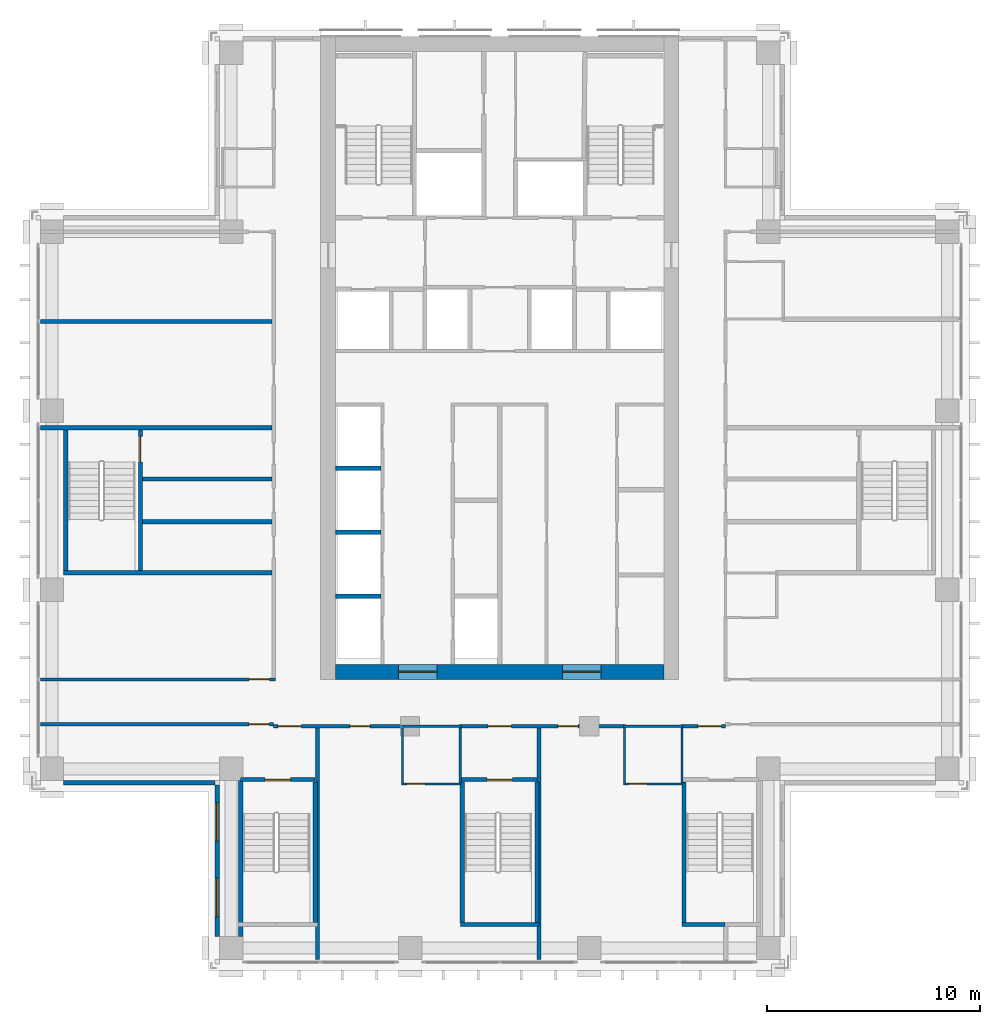
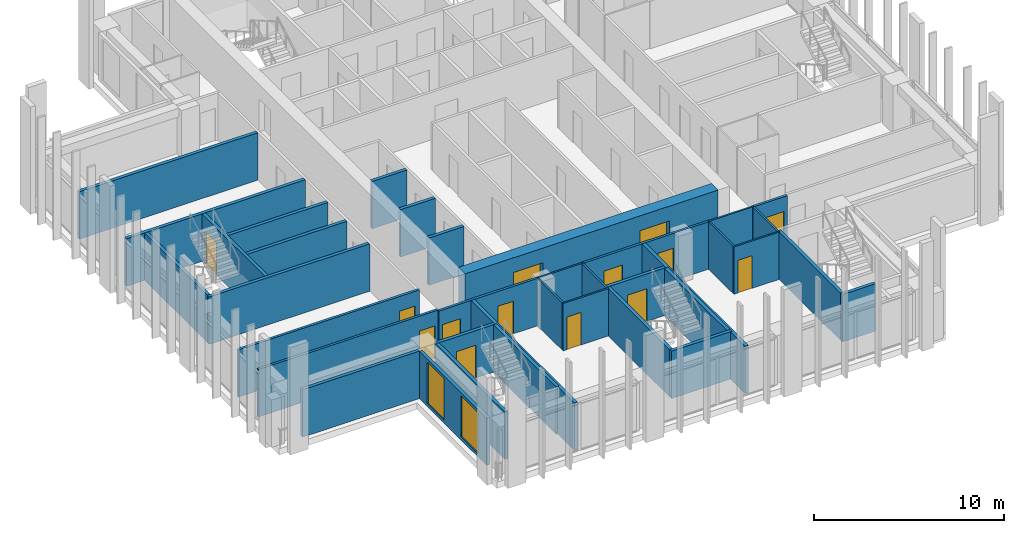
# One storey, part 9 of 16: 37 walls, 14 doors, 2 windows, 16 openings.
"""IFC4 building model written with IfcOpenShell, lengths in metres."""

from ifc_helpers import new_model, si_unit, direction, frame, frame_2d, origin, place, context, subcontext, project, spatial, rectangle, extrude, material, layer, layer_set, type_object, element, fill, save


model = new_model("IFC4")

# Units and contexts
model_context = context("Model", 3, precision=1e-05, world=origin(), true_north=direction((0.0, 1.0)))
body_context = subcontext(model_context, "Body", "Model", "MODEL_VIEW")
ifc_project = project(units=[si_unit("LENGTHUNIT", "METRE"), si_unit("AREAUNIT", "SQUARE_METRE"), si_unit("VOLUMEUNIT", "CUBIC_METRE"), si_unit("PLANEANGLEUNIT", "RADIAN"), si_unit("MASSUNIT", "GRAM", prefix="KILO")], contexts=[model_context])

# Site, building, storey
site_placement = place(None, origin())
site = spatial("IfcSite", under=ifc_project, at=site_placement, CompositionType="ELEMENT")
building_placement = place(site_placement, origin())
building = spatial("IfcBuilding", under=site, at=building_placement, Name="Vermilion Ogive Tower", CompositionType="ELEMENT")
storey_placement = place(building_placement, frame((0.0, 0.0, 150.35009765625)))
storey = spatial("IfcBuildingStorey", under=building, at=storey_placement, Name="L38", CompositionType="ELEMENT", Elevation=150.35009765625)

# Wall, openings, doors
ifc_material_1 = material(Name="Concrete B60", Category="concrete")
ifc_layer_1 = layer(ifc_material_1, 0.699951171875)
ifc_layer_set_1 = layer_set([ifc_layer_1], Name="Core wall 700 B60")
wall_type_1 = type_object("IfcWallType", Name="Core wall 700 B60", PredefinedType="SHEAR", material=ifc_layer_set_1)
wall_1_placement = place(storey_placement, frame((-7.699951171875, -8.050048828125, -0.400146484375), z_axis=(0.0, 0.0, 1.0), x_axis=(1.0, 0.0, 0.0)))
wall_1 = element("IfcWall", 1, at=wall_1_placement, inside=storey, type_object=wall_type_1, Name="L38-CORE-S", PredefinedType="SHEAR", context=body_context, shape_type="SweptSolid", body=[
    extrude(rectangle(XDim=15.39990234375, YDim=0.699951171875, at=frame_2d((7.699951171875, 0.0))), origin(), (0.0, 0.0, 1.0), 3.449951171875),
])
opening_1_placement = place(wall_1_placement, frame((2.949951171875, 0.0, 0.39990234375)))
opening_1 = element("IfcOpeningElement", 2, at=opening_1_placement, cuts=wall_1, Name="Opening DAH029", PredefinedType="OPENING", context=body_context, shape_type="SweptSolid", body=[
    extrude(rectangle(XDim=1.800048828125, YDim=2.10009765625, at=frame_2d((0.89990234375, 1.050048828125))), frame((0.0, 0.35986328125, 0.0), z_axis=(0.0, -1.0, 0.0), x_axis=(1.0, 0.0, 0.0)), (0.0, 0.0, 1.0), 0.719970703125),
])
opening_2_placement = place(wall_1_placement, frame((10.64990234375, 0.0, 0.39990234375)))
opening_2 = element("IfcOpeningElement", 3, at=opening_2_placement, cuts=wall_1, Name="Opening DAH030", PredefinedType="OPENING", context=body_context, shape_type="SweptSolid", body=[
    extrude(rectangle(XDim=1.800048828125, YDim=2.10009765625, at=frame_2d((0.89990234375, 1.050048828125))), frame((0.0, 0.35986328125, 0.0), z_axis=(0.0, -1.0, 0.0), x_axis=(1.0, 0.0, 0.0)), (0.0, 0.0, 1.0), 0.719970703125),
])
ifc_material_2 = material(Name="Timber door leaf", Category="wood")
door_type_1 = type_object("IfcDoorType", Name="Core entry door 1800 x 2100 FD60S", OperationType="DOUBLE_DOOR_SINGLE_SWING", PredefinedType="DOOR", material=ifc_material_2)
door_1_placement = place(opening_1_placement, origin())
door_1 = element("IfcDoor", 4, at=door_1_placement, inside=storey, type_object=door_type_1, Name="L38-CK-XD1", OperationType="SINGLE_SWING_LEFT", OverallHeight=2.10009765625, OverallWidth=1.800048828125, PredefinedType="DOOR", context=body_context, shape_type="SweptSolid", body=[
    extrude(rectangle(XDim=1.800048828125, YDim=2.10009765625, at=frame_2d((0.89990234375, 1.050048828125))), frame((0.0, 0.02490234375, 0.0), z_axis=(0.0, -1.0, 0.0), x_axis=(1.0, 0.0, 0.0)), (0.0, 0.0, 1.0), 0.050048828125),
])
fill(opening_1, door_1)
door_2_placement = place(opening_2_placement, origin())
door_2 = element("IfcDoor", 5, at=door_2_placement, inside=storey, type_object=door_type_1, Name="L38-CK-XD2", OperationType="SINGLE_SWING_LEFT", OverallHeight=2.10009765625, OverallWidth=1.800048828125, PredefinedType="DOOR", context=body_context, shape_type="SweptSolid", body=[
    extrude(rectangle(XDim=1.800048828125, YDim=2.10009765625, at=frame_2d((0.89990234375, 1.050048828125))), frame((0.0, 0.02490234375, 0.0), z_axis=(0.0, -1.0, 0.0), x_axis=(1.0, 0.0, 0.0)), (0.0, 0.0, 1.0), 0.050048828125),
])
fill(opening_2, door_2)

# Wall, opening, door
ifc_material_3 = material(Name="Gypsum board partition on steel studs", Category="steel")
ifc_layer_2 = layer(ifc_material_3, 0.10009765625)
ifc_layer_set_2 = layer_set([ifc_layer_2], Name="Partition 100 bath")
wall_type_2 = type_object("IfcWallType", Name="Partition 100 bath", PredefinedType="PARTITIONING", material=ifc_layer_set_2)
wall_2_placement = place(storey_placement, frame((-4.597900390625, -13.300048828125, 0.0), z_axis=(0.0, 0.0, 1.0), x_axis=(1.0, 0.0, 0.0)))
wall_2 = element("IfcWall", 6, at=wall_2_placement, inside=storey, type_object=wall_type_2, Name="L38-W-W004", PredefinedType="PARTITIONING", context=body_context, shape_type="SweptSolid", body=[
    extrude(rectangle(XDim=2.7958984375, YDim=0.10009765625, at=frame_2d((1.39794921875, 0.0))), origin(), (0.0, 0.0, 1.0), 3.0498046875),
])
opening_3_placement = place(wall_2_placement, frame((0.247802734375, 0.0, 0.0)))
opening_3 = element("IfcOpeningElement", 7, at=opening_3_placement, cuts=wall_2, Name="Opening D3G3008", PredefinedType="OPENING", context=body_context, shape_type="SweptSolid", body=[
    extrude(rectangle(XDim=0.85009765625, YDim=2.10009765625, at=frame_2d((0.425048828125, 1.050048828125))), frame((0.0, 0.06005859375, 0.0), z_axis=(0.0, -1.0, 0.0), x_axis=(1.0, 0.0, 0.0)), (0.0, 0.0, 1.0), 0.1201171875),
])
ifc_material_4 = material(Name="Timber door leaf", Category="wood")
door_type_2 = type_object("IfcDoorType", Name="Bath door 850 x 2100 FD30", OperationType="SINGLE_SWING_LEFT", PredefinedType="DOOR", material=ifc_material_4)
door_3_placement = place(opening_3_placement, origin())
door_3 = element("IfcDoor", 8, at=door_3_placement, inside=storey, type_object=door_type_2, Name="L38-D-D008", OperationType="SINGLE_SWING_LEFT", OverallHeight=2.10009765625, OverallWidth=0.85009765625, PredefinedType="DOOR", context=body_context, shape_type="SweptSolid", body=[
    extrude(rectangle(XDim=0.85009765625, YDim=2.10009765625, at=frame_2d((0.425048828125, 1.050048828125))), frame((0.0, 0.02490234375, 0.0), z_axis=(0.0, -1.0, 0.0), x_axis=(1.0, 0.0, 0.0)), (0.0, 0.0, 1.0), 0.050048828125),
])
fill(opening_3, door_3)

wall_3_placement = place(storey_placement, frame((5.802001953125, -13.300048828125, 0.0), z_axis=(0.0, 0.0, 1.0), x_axis=(1.0, 0.0, 0.0)))
wall_3 = element("IfcWall", 9, at=wall_3_placement, inside=storey, type_object=wall_type_2, Name="L38-W-W005", PredefinedType="PARTITIONING", context=body_context, shape_type="SweptSolid", body=[
    extrude(rectangle(XDim=2.7958984375, YDim=0.10009765625, at=frame_2d((1.39794921875, 0.0))), origin(), (0.0, 0.0, 1.0), 3.0498046875),
])
opening_4_placement = place(wall_3_placement, frame((0.248046875, 0.0, 0.0)))
opening_4 = element("IfcOpeningElement", 10, at=opening_4_placement, cuts=wall_3, Name="Opening D3G3010", PredefinedType="OPENING", context=body_context, shape_type="SweptSolid", body=[
    extrude(rectangle(XDim=0.85009765625, YDim=2.10009765625, at=frame_2d((0.425048828125, 1.050048828125))), frame((0.0, 0.06005859375, 0.0), z_axis=(0.0, -1.0, 0.0), x_axis=(1.0, 0.0, 0.0)), (0.0, 0.0, 1.0), 0.1201171875),
])
door_4_placement = place(opening_4_placement, origin())
door_4 = element("IfcDoor", 11, at=door_4_placement, inside=storey, type_object=door_type_2, Name="L38-D-D010", OperationType="SINGLE_SWING_LEFT", OverallHeight=2.10009765625, OverallWidth=0.85009765625, PredefinedType="DOOR", context=body_context, shape_type="SweptSolid", body=[
    extrude(rectangle(XDim=0.85009765625, YDim=2.10009765625, at=frame_2d((0.425048828125, 1.050048828125))), frame((0.0, 0.02490234375, 0.0), z_axis=(0.0, -1.0, 0.0), x_axis=(1.0, 0.0, 0.0)), (0.0, 0.0, 1.0), 0.050048828125),
])
fill(opening_4, door_4)

# Walls
for number, where, z_axis, x_axis, name in (
    (12, (-4.60009765625, -10.60009765625, 0.0), (0.0, 0.0, 1.0), (1.0, 0.0, 0.0), "L38-W-W010"),
    (13, (5.800048828125, -10.60009765625, 0.0), (0.0, 0.0, 1.0), (1.0, 0.0, 0.0), "L38-W-W012"),
):
    element("IfcWall", number, at=place(storey_placement, frame(where, z_axis=z_axis, x_axis=x_axis)), inside=storey, type_object=wall_type_2, Name=name, PredefinedType="PARTITIONING", context=body_context, shape_type="SweptSolid", body=[
        extrude(rectangle(XDim=2.800048828125, YDim=0.10009765625, at=frame_2d((1.39990234375, 0.0))), origin(), (0.0, 0.0, 1.0), 3.0498046875),
    ])
for number, where, z_axis, x_axis, name in (
    (14, (-4.550048828125, -13.248046875, 0.0), (0.0, 0.0, 1.0), (0.0, 1.0, 0.0), "L38-W-W048"),
    (15, (-1.85009765625, -13.248046875, 0.0), (0.0, 0.0, 1.0), (0.0, 1.0, 0.0), "L38-W-W049"),
    (16, (5.85009765625, -13.248046875, 0.0), (0.0, 0.0, 1.0), (0.0, 1.0, 0.0), "L38-W-W053"),
    (17, (8.550048828125, -13.248046875, 0.0), (0.0, 0.0, 1.0), (0.0, 1.0, 0.0), "L38-W-W054"),
):
    element("IfcWall", number, at=place(storey_placement, frame(where, z_axis=z_axis, x_axis=x_axis)), inside=storey, type_object=wall_type_2, Name=name, PredefinedType="PARTITIONING", context=body_context, shape_type="SweptSolid", body=[
        extrude(rectangle(XDim=2.572998046875, YDim=0.10009765625, at=frame_2d((1.28662109375, 0.0))), origin(), (0.0, 0.0, 1.0), 3.0498046875),
    ])

# Wall, openings, doors
ifc_material_5 = material(Name="Gypsum board partition on steel studs", Category="steel")
ifc_layer_3 = layer(ifc_material_5, 0.14990234375)
ifc_layer_set_3 = layer_set([ifc_layer_3], Name="Partition 150 corridor")
wall_type_3 = type_object("IfcWallType", Name="Partition 150 corridor", PredefinedType="PARTITIONING", material=ifc_layer_set_3)
wall_4_placement = place(storey_placement, frame((-10.60009765625, -10.60009765625, 0.0), z_axis=(0.0, 0.0, 1.0), x_axis=(1.0, 0.0, 0.0)))
wall_4 = element("IfcWall", 18, at=wall_4_placement, inside=storey, type_object=wall_type_3, Name="L38-W-W009", PredefinedType="PARTITIONING", context=body_context, shape_type="SweptSolid", body=[
    extrude(rectangle(XDim=6.10009765625, YDim=0.14990234375, at=frame_2d((3.050048828125, 0.0))), origin(), (0.0, 0.0, 1.0), 3.0498046875),
])
opening_5_placement = place(wall_4_placement, frame((3.5751953125, 0.0, 0.0)))
opening_5 = element("IfcOpeningElement", 19, at=opening_5_placement, cuts=wall_4, Name="Opening D3G3007", PredefinedType="OPENING", context=body_context, shape_type="SweptSolid", body=[
    extrude(rectangle(XDim=0.949951171875, YDim=2.10009765625, at=frame_2d((0.47509765625, 1.050048828125))), frame((0.0, 0.0849609375, 0.0), z_axis=(0.0, -1.0, 0.0), x_axis=(1.0, 0.0, 0.0)), (0.0, 0.0, 1.0), 0.169921875),
])
opening_6_placement = place(wall_4_placement, frame((0.2001953125, 0.0, 0.0)))
opening_6 = element("IfcOpeningElement", 20, at=opening_6_placement, cuts=wall_4, Name="Opening D3G3019", PredefinedType="OPENING", context=body_context, shape_type="SweptSolid", body=[
    extrude(rectangle(XDim=1.10009765625, YDim=2.10009765625, at=frame_2d((0.550048828125, 1.050048828125))), frame((0.0, 0.0849609375, 0.0), z_axis=(0.0, -1.0, 0.0), x_axis=(1.0, 0.0, 0.0)), (0.0, 0.0, 1.0), 0.169921875),
])
ifc_material_6 = material(Name="Timber door leaf", Category="wood")
door_type_3 = type_object("IfcDoorType", Name="Stair door 1100 x 2100 FD60S", OperationType="SINGLE_SWING_LEFT", PredefinedType="DOOR", material=ifc_material_6)
door_5_placement = place(opening_6_placement, origin())
door_5 = element("IfcDoor", 21, at=door_5_placement, inside=storey, type_object=door_type_3, Name="L38-D-D019", OperationType="SINGLE_SWING_RIGHT", OverallHeight=2.10009765625, OverallWidth=1.10009765625, PredefinedType="DOOR", context=body_context, shape_type="SweptSolid", body=[
    extrude(rectangle(XDim=1.10009765625, YDim=2.10009765625, at=frame_2d((0.550048828125, 1.050048828125))), frame((0.0, 0.02490234375, 0.0), z_axis=(0.0, -1.0, 0.0), x_axis=(1.0, 0.0, 0.0)), (0.0, 0.0, 1.0), 0.050048828125),
])
fill(opening_6, door_5)
ifc_material_7 = material(Name="Timber door leaf", Category="wood")
door_type_4 = type_object("IfcDoorType", Name="Unit door 950 x 2100 FD30S", OperationType="SINGLE_SWING_LEFT", PredefinedType="DOOR", material=ifc_material_7)
door_6_placement = place(opening_5_placement, origin())
door_6 = element("IfcDoor", 22, at=door_6_placement, inside=storey, type_object=door_type_4, Name="L38-D-D007", OperationType="SINGLE_SWING_RIGHT", OverallHeight=2.10009765625, OverallWidth=0.949951171875, PredefinedType="DOOR", context=body_context, shape_type="SweptSolid", body=[
    extrude(rectangle(XDim=0.949951171875, YDim=2.10009765625, at=frame_2d((0.47509765625, 1.050048828125))), frame((0.0, 0.02490234375, 0.0), z_axis=(0.0, -1.0, 0.0), x_axis=(1.0, 0.0, 0.0)), (0.0, 0.0, 1.0), 0.050048828125),
])
fill(opening_5, door_6)

wall_5_placement = place(storey_placement, frame((-1.89990234375, -10.60009765625, 0.0), z_axis=(0.0, 0.0, 1.0), x_axis=(1.0, 0.0, 0.0)))
wall_5 = element("IfcWall", 23, at=wall_5_placement, inside=storey, type_object=wall_type_3, Name="L38-W-W011", PredefinedType="PARTITIONING", context=body_context, shape_type="SweptSolid", body=[
    extrude(rectangle(XDim=7.7998046875, YDim=0.14990234375, at=frame_2d((3.89990234375, 0.0))), origin(), (0.0, 0.0, 1.0), 3.0498046875),
])
opening_7_placement = place(wall_5_placement, frame((4.625, 0.0, 0.0)))
opening_7 = element("IfcOpeningElement", 24, at=opening_7_placement, cuts=wall_5, Name="Opening D3G3009", PredefinedType="OPENING", context=body_context, shape_type="SweptSolid", body=[
    extrude(rectangle(XDim=0.949951171875, YDim=2.10009765625, at=frame_2d((0.47509765625, 1.050048828125))), frame((0.0, 0.0849609375, 0.0), z_axis=(0.0, -1.0, 0.0), x_axis=(1.0, 0.0, 0.0)), (0.0, 0.0, 1.0), 0.169921875),
])
opening_8_placement = place(wall_5_placement, frame((1.349853515625, 0.0, 0.0)))
opening_8 = element("IfcOpeningElement", 25, at=opening_8_placement, cuts=wall_5, Name="Opening D3G3021", PredefinedType="OPENING", context=body_context, shape_type="SweptSolid", body=[
    extrude(rectangle(XDim=1.10009765625, YDim=2.10009765625, at=frame_2d((0.550048828125, 1.050048828125))), frame((0.0, 0.0849609375, 0.0), z_axis=(0.0, -1.0, 0.0), x_axis=(1.0, 0.0, 0.0)), (0.0, 0.0, 1.0), 0.169921875),
])
door_7_placement = place(opening_8_placement, origin())
door_7 = element("IfcDoor", 26, at=door_7_placement, inside=storey, type_object=door_type_3, Name="L38-D-D021", OperationType="SINGLE_SWING_RIGHT", OverallHeight=2.10009765625, OverallWidth=1.10009765625, PredefinedType="DOOR", context=body_context, shape_type="SweptSolid", body=[
    extrude(rectangle(XDim=1.10009765625, YDim=2.10009765625, at=frame_2d((0.550048828125, 1.050048828125))), frame((0.0, 0.02490234375, 0.0), z_axis=(0.0, -1.0, 0.0), x_axis=(1.0, 0.0, 0.0)), (0.0, 0.0, 1.0), 0.050048828125),
])
fill(opening_8, door_7)
door_8_placement = place(opening_7_placement, origin())
door_8 = element("IfcDoor", 27, at=door_8_placement, inside=storey, type_object=door_type_4, Name="L38-D-D009", OperationType="SINGLE_SWING_RIGHT", OverallHeight=2.10009765625, OverallWidth=0.949951171875, PredefinedType="DOOR", context=body_context, shape_type="SweptSolid", body=[
    extrude(rectangle(XDim=0.949951171875, YDim=2.10009765625, at=frame_2d((0.47509765625, 1.050048828125))), frame((0.0, 0.02490234375, 0.0), z_axis=(0.0, -1.0, 0.0), x_axis=(1.0, 0.0, 0.0)), (0.0, 0.0, 1.0), 0.050048828125),
])
fill(opening_7, door_8)

# Wall, opening, door
wall_6_placement = place(storey_placement, frame((8.5, -10.60009765625, 0.0), z_axis=(0.0, 0.0, 1.0), x_axis=(1.0, 0.0, 0.0)))
wall_6 = element("IfcWall", 28, at=wall_6_placement, inside=storey, type_object=wall_type_3, Name="L38-W-W013", PredefinedType="PARTITIONING", context=body_context, shape_type="SweptSolid", body=[
    extrude(rectangle(XDim=2.10009765625, YDim=0.14990234375, at=frame_2d((1.050048828125, 0.0))), origin(), (0.0, 0.0, 1.0), 3.0498046875),
])
opening_9_placement = place(wall_6_placement, frame((0.800048828125, 0.0, 0.0)))
opening_9 = element("IfcOpeningElement", 29, at=opening_9_placement, cuts=wall_6, Name="Opening D3G3023", PredefinedType="OPENING", context=body_context, shape_type="SweptSolid", body=[
    extrude(rectangle(XDim=1.10009765625, YDim=2.10009765625, at=frame_2d((0.550048828125, 1.050048828125))), frame((0.0, 0.0849609375, 0.0), z_axis=(0.0, -1.0, 0.0), x_axis=(1.0, 0.0, 0.0)), (0.0, 0.0, 1.0), 0.169921875),
])
door_9_placement = place(opening_9_placement, origin())
door_9 = element("IfcDoor", 30, at=door_9_placement, inside=storey, type_object=door_type_3, Name="L38-D-D023", OperationType="SINGLE_SWING_RIGHT", OverallHeight=2.10009765625, OverallWidth=1.10009765625, PredefinedType="DOOR", context=body_context, shape_type="SweptSolid", body=[
    extrude(rectangle(XDim=1.10009765625, YDim=2.10009765625, at=frame_2d((0.550048828125, 1.050048828125))), frame((0.0, 0.02490234375, 0.0), z_axis=(0.0, -1.0, 0.0), x_axis=(1.0, 0.0, 0.0)), (0.0, 0.0, 1.0), 0.050048828125),
])
fill(opening_9, door_9)

wall_7_placement = place(storey_placement, frame((-21.550048828125, -10.5, 0.0), z_axis=(0.0, 0.0, 1.0), x_axis=(1.0, 0.0, 0.0)))
wall_7 = element("IfcWall", 31, at=wall_7_placement, inside=storey, type_object=wall_type_3, Name="L38-W-W014", PredefinedType="PARTITIONING", context=body_context, shape_type="SweptSolid", body=[
    extrude(rectangle(XDim=10.949951171875, YDim=0.14990234375, at=frame_2d((5.47509765625, 0.0))), origin(), (0.0, 0.0, 1.0), 3.0498046875),
])
opening_10_placement = place(wall_7_placement, frame((9.800048828125, 0.0, 0.0)))
opening_10 = element("IfcOpeningElement", 32, at=opening_10_placement, cuts=wall_7, Name="Opening D3G3001", PredefinedType="OPENING", context=body_context, shape_type="SweptSolid", body=[
    extrude(rectangle(XDim=0.949951171875, YDim=2.10009765625, at=frame_2d((0.47509765625, 1.050048828125))), frame((0.0, 0.0849609375, 0.0), z_axis=(0.0, -1.0, 0.0), x_axis=(1.0, 0.0, 0.0)), (0.0, 0.0, 1.0), 0.169921875),
])
door_10_placement = place(opening_10_placement, origin())
door_10 = element("IfcDoor", 33, at=door_10_placement, inside=storey, type_object=door_type_4, Name="L38-D-D001", OperationType="SINGLE_SWING_RIGHT", OverallHeight=2.10009765625, OverallWidth=0.949951171875, PredefinedType="DOOR", context=body_context, shape_type="SweptSolid", body=[
    extrude(rectangle(XDim=0.949951171875, YDim=2.10009765625, at=frame_2d((0.47509765625, 1.050048828125))), frame((0.0, 0.02490234375, 0.0), z_axis=(0.0, -1.0, 0.0), x_axis=(1.0, 0.0, 0.0)), (0.0, 0.0, 1.0), 0.050048828125),
])
fill(opening_10, door_10)

wall_8_placement = place(storey_placement, frame((-21.550048828125, -8.39990234375, 0.0), z_axis=(0.0, 0.0, 1.0), x_axis=(1.0, 0.0, 0.0)))
wall_8 = element("IfcWall", 34, at=wall_8_placement, inside=storey, type_object=wall_type_3, Name="L38-W-W016", PredefinedType="PARTITIONING", context=body_context, shape_type="SweptSolid", body=[
    extrude(rectangle(XDim=11.025146484375, YDim=0.14990234375, at=frame_2d((5.5126953125, 0.0))), origin(), (0.0, 0.0, 1.0), 3.0498046875),
])
opening_11_placement = place(wall_8_placement, frame((9.800048828125, 0.0, 0.0)))
opening_11 = element("IfcOpeningElement", 35, at=opening_11_placement, cuts=wall_8, Name="Opening D3G3002", PredefinedType="OPENING", context=body_context, shape_type="SweptSolid", body=[
    extrude(rectangle(XDim=0.949951171875, YDim=2.10009765625, at=frame_2d((0.47509765625, 1.050048828125))), frame((0.0, 0.0849609375, 0.0), z_axis=(0.0, -1.0, 0.0), x_axis=(1.0, 0.0, 0.0)), (0.0, 0.0, 1.0), 0.169921875),
])
door_11_placement = place(opening_11_placement, origin())
door_11 = element("IfcDoor", 36, at=door_11_placement, inside=storey, type_object=door_type_4, Name="L38-D-D002", OperationType="SINGLE_SWING_LEFT", OverallHeight=2.10009765625, OverallWidth=0.949951171875, PredefinedType="DOOR", context=body_context, shape_type="SweptSolid", body=[
    extrude(rectangle(XDim=0.949951171875, YDim=2.10009765625, at=frame_2d((0.47509765625, 1.050048828125))), frame((0.0, 0.02490234375, 0.0), z_axis=(0.0, -1.0, 0.0), x_axis=(1.0, 0.0, 0.0)), (0.0, 0.0, 1.0), 0.050048828125),
])
fill(opening_11, door_11)

# Walls
ifc_material_8 = material(Name="Gypsum board partition on steel studs", Category="steel")
ifc_layer_4 = layer(ifc_material_8, 0.199951171875)
ifc_layer_set_4 = layer_set([ifc_layer_4], Name="Partition 200 party")
wall_type_4 = type_object("IfcWallType", Name="Partition 200 party", PredefinedType="PARTITIONING", material=ifc_layer_set_4)
for number, where, z_axis, x_axis, name in (
    (37, (-16.75, -1.0, 0.0), (0.0, 0.0, 1.0), (1.0, 0.0, 0.0), "L38-W-W022"),
    (38, (-16.75, 1.0, 0.0), (0.0, 0.0, 1.0), (1.0, 0.0, 0.0), "L38-W-W024"),
):
    element("IfcWall", number, at=place(storey_placement, frame(where, z_axis=z_axis, x_axis=x_axis)), inside=storey, type_object=wall_type_4, Name=name, PredefinedType="PARTITIONING", context=body_context, shape_type="SweptSolid", body=[
        extrude(rectangle(XDim=6.074951171875, YDim=0.199951171875, at=frame_2d((3.03759765625, 0.0))), origin(), (0.0, 0.0, 1.0), 3.0498046875),
    ])
wall_9_placement = place(storey_placement, frame((-21.550048828125, 8.389892578125, 0.0), z_axis=(0.0, 0.0, 1.0), x_axis=(1.0, 0.0, 0.0)))
element("IfcWall", 39, at=wall_9_placement, inside=storey, type_object=wall_type_4, Name="L38-W-W028", PredefinedType="PARTITIONING", context=body_context, shape_type="SweptSolid", body=[
    extrude(rectangle(XDim=10.875, YDim=0.199951171875, at=frame_2d((5.4375, 0.0))), origin(), (0.0, 0.0, 1.0), 3.0498046875),
])
for number, where, z_axis, x_axis, name in (
    (40, (-7.698974609375, -4.5, 0.0), (0.0, 0.0, 1.0), (1.0, 0.0, 0.0), "L38-CK-W-W001"),
    (41, (-7.698974609375, -1.5, 0.0), (0.0, 0.0, 1.0), (1.0, 0.0, 0.0), "L38-CK-W-W004"),
    (42, (-7.698974609375, 1.5, 0.0), (0.0, 0.0, 1.0), (1.0, 0.0, 0.0), "L38-CK-W-W007"),
):
    element("IfcWall", number, at=place(storey_placement, frame(where, z_axis=z_axis, x_axis=x_axis)), inside=storey, type_object=wall_type_4, Name=name, PredefinedType="PARTITIONING", context=body_context, shape_type="SweptSolid", body=[
        extrude(rectangle(XDim=2.1240234375, YDim=0.199951171875, at=frame_2d((1.06201171875, 0.0))), origin(), (0.0, 0.0, 1.0), 3.0498046875),
    ])
ifc_material_9 = material(Name="Concrete B60", Category="concrete")
ifc_layer_5 = layer(ifc_material_9, 0.199951171875)
ifc_layer_set_5 = layer_set([ifc_layer_5], Name="Stair shaft wall 200 Concrete B60")
wall_type_5 = type_object("IfcWallType", Name="Stair shaft wall 200 Concrete B60", PredefinedType="SOLIDWALL", material=ifc_layer_set_5)
wall_10_placement = place(storey_placement, frame((-1.847900390625, -19.89990234375, 0.0), z_axis=(0.0, 0.0, 1.0), x_axis=(1.0, 0.0, 0.0)))
element("IfcWall", 43, at=wall_10_placement, inside=storey, type_object=wall_type_5, Name="L38-W-W002", PredefinedType="SOLIDWALL", context=body_context, shape_type="SweptSolid", body=[
    extrude(rectangle(XDim=3.69580078125, YDim=0.199951171875, at=frame_2d((1.847900390625, 0.0))), origin(), (0.0, 0.0, 1.0), 3.0498046875),
])
wall_11_placement = place(storey_placement, frame((8.552001953125, -19.89990234375, 0.0), z_axis=(0.0, 0.0, 1.0), x_axis=(1.0, 0.0, 0.0)))
element("IfcWall", 44, at=wall_11_placement, inside=storey, type_object=wall_type_5, Name="L38-W-W003", PredefinedType="SOLIDWALL", context=body_context, shape_type="SweptSolid", body=[
    extrude(rectangle(XDim=2.02587890625, YDim=0.199951171875, at=frame_2d((1.012939453125, 0.0))), origin(), (0.0, 0.0, 1.0), 3.0498046875),
])

# Wall, opening, door
wall_12_placement = place(storey_placement, frame((-12.14990234375, -13.10009765625, 0.0), z_axis=(0.0, 0.0, 1.0), x_axis=(1.0, 0.0, 0.0)))
wall_12 = element("IfcWall", 45, at=wall_12_placement, inside=storey, type_object=wall_type_5, Name="L38-W-W006", PredefinedType="SOLIDWALL", context=body_context, shape_type="SweptSolid", body=[
    extrude(rectangle(XDim=3.497802734375, YDim=0.199951171875, at=frame_2d((1.7490234375, 0.0))), origin(), (0.0, 0.0, 1.0), 3.0498046875),
])
opening_12_placement = place(wall_12_placement, frame((1.14990234375, 0.0, 0.0)))
opening_12 = element("IfcOpeningElement", 46, at=opening_12_placement, cuts=wall_12, Name="Opening D3G3020", PredefinedType="OPENING", context=body_context, shape_type="SweptSolid", body=[
    extrude(rectangle(XDim=1.199951171875, YDim=2.10009765625, at=frame_2d((0.60009765625, 1.050048828125))), frame((0.0, 0.10986328125, 0.0), z_axis=(0.0, -1.0, 0.0), x_axis=(1.0, 0.0, 0.0)), (0.0, 0.0, 1.0), 0.219970703125),
])
ifc_material_10 = material(Name="Timber door leaf", Category="wood")
door_type_5 = type_object("IfcDoorType", Name="Stair door 1200 x 2100 FD60S", OperationType="SINGLE_SWING_LEFT", PredefinedType="DOOR", material=ifc_material_10)
door_12_placement = place(opening_12_placement, origin())
door_12 = element("IfcDoor", 47, at=door_12_placement, inside=storey, type_object=door_type_5, Name="L38-D-D020", OperationType="SINGLE_SWING_RIGHT", OverallHeight=2.10009765625, OverallWidth=1.199951171875, PredefinedType="DOOR", context=body_context, shape_type="SweptSolid", body=[
    extrude(rectangle(XDim=1.199951171875, YDim=2.10009765625, at=frame_2d((0.60009765625, 1.050048828125))), frame((0.0, 0.02490234375, 0.0), z_axis=(0.0, -1.0, 0.0), x_axis=(1.0, 0.0, 0.0)), (0.0, 0.0, 1.0), 0.050048828125),
])
fill(opening_12, door_12)

wall_13_placement = place(storey_placement, frame((-1.798095703125, -13.10009765625, 0.0), z_axis=(0.0, 0.0, 1.0), x_axis=(1.0, 0.0, 0.0)))
wall_13 = element("IfcWall", 48, at=wall_13_placement, inside=storey, type_object=wall_type_5, Name="L38-W-W007", PredefinedType="SOLIDWALL", context=body_context, shape_type="SweptSolid", body=[
    extrude(rectangle(XDim=3.546142578125, YDim=0.199951171875, at=frame_2d((1.77294921875, 0.0))), origin(), (0.0, 0.0, 1.0), 3.0498046875),
])
opening_13_placement = place(wall_13_placement, frame((1.197998046875, 0.0, 0.0)))
opening_13 = element("IfcOpeningElement", 49, at=opening_13_placement, cuts=wall_13, Name="Opening D3G3022", PredefinedType="OPENING", context=body_context, shape_type="SweptSolid", body=[
    extrude(rectangle(XDim=1.199951171875, YDim=2.10009765625, at=frame_2d((0.60009765625, 1.050048828125))), frame((0.0, 0.10986328125, 0.0), z_axis=(0.0, -1.0, 0.0), x_axis=(1.0, 0.0, 0.0)), (0.0, 0.0, 1.0), 0.219970703125),
])
door_13_placement = place(opening_13_placement, origin())
door_13 = element("IfcDoor", 50, at=door_13_placement, inside=storey, type_object=door_type_5, Name="L38-D-D022", OperationType="SINGLE_SWING_RIGHT", OverallHeight=2.10009765625, OverallWidth=1.199951171875, PredefinedType="DOOR", context=body_context, shape_type="SweptSolid", body=[
    extrude(rectangle(XDim=1.199951171875, YDim=2.10009765625, at=frame_2d((0.60009765625, 1.050048828125))), frame((0.0, 0.02490234375, 0.0), z_axis=(0.0, -1.0, 0.0), x_axis=(1.0, 0.0, 0.0)), (0.0, 0.0, 1.0), 0.050048828125),
])
fill(opening_13, door_13)

# Walls
wall_14_placement = place(storey_placement, frame((-20.447998046875, -3.39990234375, 0.0), z_axis=(0.0, 0.0, 1.0), x_axis=(1.0, 0.0, 0.0)))
element("IfcWall", 51, at=wall_14_placement, inside=storey, type_object=wall_type_5, Name="L38-W-W019", PredefinedType="SOLIDWALL", context=body_context, shape_type="SweptSolid", body=[
    extrude(rectangle(XDim=9.77294921875, YDim=0.199951171875, at=frame_2d((4.886474609375, 0.0))), origin(), (0.0, 0.0, 1.0), 3.0498046875),
])
wall_15_placement = place(storey_placement, frame((-21.550048828125, 3.39990234375, 0.0), z_axis=(0.0, 0.0, 1.0), x_axis=(1.0, 0.0, 0.0)))
element("IfcWall", 52, at=wall_15_placement, inside=storey, type_object=wall_type_5, Name="L38-W-W026", PredefinedType="SOLIDWALL", context=body_context, shape_type="SweptSolid", body=[
    extrude(rectangle(XDim=10.875, YDim=0.199951171875, at=frame_2d((5.4375, 0.0))), origin(), (0.0, 0.0, 1.0), 3.0498046875),
])
wall_16_placement = place(storey_placement, frame((-20.35009765625, -3.298095703125, 0.0), z_axis=(0.0, 0.0, 1.0), x_axis=(0.0, 1.0, 0.0)))
element("IfcWall", 53, at=wall_16_placement, inside=storey, type_object=wall_type_5, Name="L38-W-W040", PredefinedType="SOLIDWALL", context=body_context, shape_type="SweptSolid", body=[
    extrude(rectangle(XDim=6.59619140625, YDim=0.199951171875, at=frame_2d((3.298095703125, 0.0))), origin(), (0.0, 0.0, 1.0), 3.0498046875),
])

# Wall, opening, door
wall_17_placement = place(storey_placement, frame((-16.85009765625, -3.300048828125, 0.0), z_axis=(0.0, 0.0, 1.0), x_axis=(0.0, 1.0, 0.0)))
wall_17 = element("IfcWall", 54, at=wall_17_placement, inside=storey, type_object=wall_type_5, Name="L38-W-W041", PredefinedType="SOLIDWALL", context=body_context, shape_type="SweptSolid", body=[
    extrude(rectangle(XDim=6.60009765625, YDim=0.199951171875, at=frame_2d((3.300048828125, 0.0))), origin(), (0.0, 0.0, 1.0), 3.0498046875),
])
opening_14_placement = place(wall_17_placement, frame((5.10009765625, 0.0, 0.0)))
opening_14 = element("IfcOpeningElement", 55, at=opening_14_placement, cuts=wall_17, Name="Opening D3G3028", PredefinedType="OPENING", context=body_context, shape_type="SweptSolid", body=[
    extrude(rectangle(XDim=1.199951171875, YDim=2.10009765625, at=frame_2d((0.60009765625, 1.050048828125))), frame((0.0, 0.10986328125, 0.0), z_axis=(0.0, -1.0, 0.0), x_axis=(1.0, 0.0, 0.0)), (0.0, 0.0, 1.0), 0.219970703125),
])
door_14_placement = place(opening_14_placement, origin())
door_14 = element("IfcDoor", 56, at=door_14_placement, inside=storey, type_object=door_type_5, Name="L38-D-D028", OperationType="SINGLE_SWING_RIGHT", OverallHeight=2.10009765625, OverallWidth=1.199951171875, PredefinedType="DOOR", context=body_context, shape_type="SweptSolid", body=[
    extrude(rectangle(XDim=1.199951171875, YDim=2.10009765625, at=frame_2d((0.60009765625, 1.050048828125))), frame((0.0, 0.02490234375, 0.0), z_axis=(0.0, -1.0, 0.0), x_axis=(1.0, 0.0, 0.0)), (0.0, 0.0, 1.0), 0.050048828125),
])
fill(opening_14, door_14)

# Walls
for number, where, z_axis, x_axis, name in (
    (57, (-8.64990234375, -19.798095703125, 0.0), (0.0, 0.0, 1.0), (0.0, 1.0, 0.0), "L38-W-W046"),
    (58, (-1.75, -19.798095703125, 0.0), (0.0, 0.0, 1.0), (0.0, 1.0, 0.0), "L38-W-W050"),
    (59, (1.75, -19.798095703125, 0.0), (0.0, 0.0, 1.0), (0.0, 1.0, 0.0), "L38-W-W051"),
    (60, (8.64990234375, -19.798095703125, 0.0), (0.0, 0.0, 1.0), (0.0, 1.0, 0.0), "L38-W-W055"),
):
    element("IfcWall", number, at=place(storey_placement, frame(where, z_axis=z_axis, x_axis=x_axis)), inside=storey, type_object=wall_type_5, Name=name, PredefinedType="SOLIDWALL", context=body_context, shape_type="SweptSolid", body=[
        extrude(rectangle(XDim=6.59619140625, YDim=0.199951171875, at=frame_2d((3.298095703125, 0.0))), origin(), (0.0, 0.0, 1.0), 3.0498046875),
    ])
wall_18_placement = place(storey_placement, frame((-8.550048828125, -21.550048828125, 0.0), z_axis=(0.0, 0.0, 1.0), x_axis=(0.0, 1.0, 0.0)))
element("IfcWall", 61, at=wall_18_placement, inside=storey, type_object=wall_type_5, Name="L38-W-W047-A", PredefinedType="SOLIDWALL", context=body_context, shape_type="SweptSolid", body=[
    extrude(rectangle(XDim=10.875, YDim=0.199951171875, at=frame_2d((5.4375, 0.0))), origin(), (0.0, 0.0, 1.0), 3.0498046875),
])
wall_19_placement = place(storey_placement, frame((-12.14990234375, -20.449951171875, 0.0), z_axis=(0.0, 0.0, 1.0), x_axis=(0.0, 1.0, 0.0)))
element("IfcWall", 62, at=wall_19_placement, inside=storey, type_object=wall_type_5, Name="L38-SW-ST3-W1-A", PredefinedType="SOLIDWALL", context=body_context, shape_type="SweptSolid", body=[
    extrude(rectangle(XDim=7.300048828125, YDim=0.199951171875, at=frame_2d((3.64990234375, 0.0))), origin(), (0.0, 0.0, 1.0), 3.0498046875),
])
wall_20_placement = place(storey_placement, frame((1.85009765625, -21.550048828125, 0.0), z_axis=(0.0, 0.0, 1.0), x_axis=(0.0, 1.0, 0.0)))
element("IfcWall", 63, at=wall_20_placement, inside=storey, type_object=wall_type_5, Name="L38-W-W052-A", PredefinedType="SOLIDWALL", context=body_context, shape_type="SweptSolid", body=[
    extrude(rectangle(XDim=10.875, YDim=0.199951171875, at=frame_2d((5.4375, 0.0))), origin(), (0.0, 0.0, 1.0), 3.0498046875),
])
ifc_material_11 = material(Name="Aluminium window wall framing", Category="aluminium")
ifc_layer_6 = layer(ifc_material_11, 0.199951171875)
ifc_layer_set_6 = layer_set([ifc_layer_6], Name="Window wall")
wall_type_6 = type_object("IfcWallType", Name="Window wall", PredefinedType="STANDARD", material=ifc_layer_set_6)
wall_21_placement = place(storey_placement, frame((-20.449951171875, -13.25, 0.0), z_axis=(0.0, 0.0, 1.0), x_axis=(1.0, 0.0, 0.0)))
element("IfcWall", 64, at=wall_21_placement, inside=storey, type_object=wall_type_6, Name="Window wall X71", PredefinedType="STANDARD", context=body_context, shape_type="SweptSolid", body=[
    extrude(rectangle(XDim=7.099853515625, YDim=0.199951171875, at=frame_2d((3.5498046875, 0.0))), origin(), (0.0, 0.0, 1.0), 3.0498046875),
])

# Wall, openings, windows
wall_22_placement = place(storey_placement, frame((-13.25, -13.35009765625, 0.0), z_axis=(0.0, 0.0, 1.0), x_axis=(0.0, -1.0, 0.0)))
wall_22 = element("IfcWall", 65, at=wall_22_placement, inside=storey, type_object=wall_type_6, Name="Window wall X81", PredefinedType="STANDARD", context=body_context, shape_type="SweptSolid", body=[
    extrude(rectangle(XDim=7.099853515625, YDim=0.199951171875, at=frame_2d((3.5498046875, 0.0))), origin(), (0.0, 0.0, 1.0), 3.0498046875),
])
opening_15_placement = place(wall_22_placement, frame((4.375, 0.0, 0.199951171875)))
opening_15 = element("IfcOpeningElement", 66, at=opening_15_placement, cuts=wall_22, Name="Opening W1-X895", PredefinedType="OPENING", context=body_context, shape_type="SweptSolid", body=[
    extrude(rectangle(XDim=1.800048828125, YDim=2.64990234375, at=frame_2d((0.89990234375, 1.324951171875))), frame((0.0, 0.10986328125, 0.0), z_axis=(0.0, -1.0, 0.0), x_axis=(1.0, 0.0, 0.0)), (0.0, 0.0, 1.0), 0.219970703125),
])
opening_16_placement = place(wall_22_placement, frame((0.824951171875, 0.0, 0.199951171875)))
opening_16 = element("IfcOpeningElement", 67, at=opening_16_placement, cuts=wall_22, Name="Opening W1-X896", PredefinedType="OPENING", context=body_context, shape_type="SweptSolid", body=[
    extrude(rectangle(XDim=1.800048828125, YDim=2.64990234375, at=frame_2d((0.89990234375, 1.324951171875))), frame((0.0, 0.10986328125, 0.0), z_axis=(0.0, -1.0, 0.0), x_axis=(1.0, 0.0, 0.0)), (0.0, 0.0, 1.0), 0.219970703125),
])
ifc_material_12 = material(Name="Aluminium framed double glazing", Category="aluminium")
window_type = type_object("IfcWindowType", Name="Guest window W1", PartitioningType="SINGLE_PANEL", PredefinedType="WINDOW", material=ifc_material_12)
window_1_placement = place(opening_15_placement, origin())
window_1 = element("IfcWindow", 68, at=window_1_placement, inside=storey, type_object=window_type, Name="Window X895", OverallHeight=2.64990234375, OverallWidth=1.800048828125, PartitioningType="SINGLE_PANEL", PredefinedType="WINDOW", context=body_context, shape_type="SweptSolid", body=[
    extrude(rectangle(XDim=1.800048828125, YDim=2.64990234375, at=frame_2d((0.89990234375, 1.324951171875))), frame((0.0, 0.030029296875, 0.0), z_axis=(0.0, -1.0, 0.0), x_axis=(1.0, 0.0, 0.0)), (0.0, 0.0, 1.0), 0.06005859375),
])
fill(opening_15, window_1)
window_2_placement = place(opening_16_placement, origin())
window_2 = element("IfcWindow", 69, at=window_2_placement, inside=storey, type_object=window_type, Name="Window X896", OverallHeight=2.64990234375, OverallWidth=1.800048828125, PartitioningType="SINGLE_PANEL", PredefinedType="WINDOW", context=body_context, shape_type="SweptSolid", body=[
    extrude(rectangle(XDim=1.800048828125, YDim=2.64990234375, at=frame_2d((0.89990234375, 1.324951171875))), frame((0.0, 0.030029296875, 0.0), z_axis=(0.0, -1.0, 0.0), x_axis=(1.0, 0.0, 0.0)), (0.0, 0.0, 1.0), 0.06005859375),
])
fill(opening_16, window_2)

save(model, "model.ifc")
